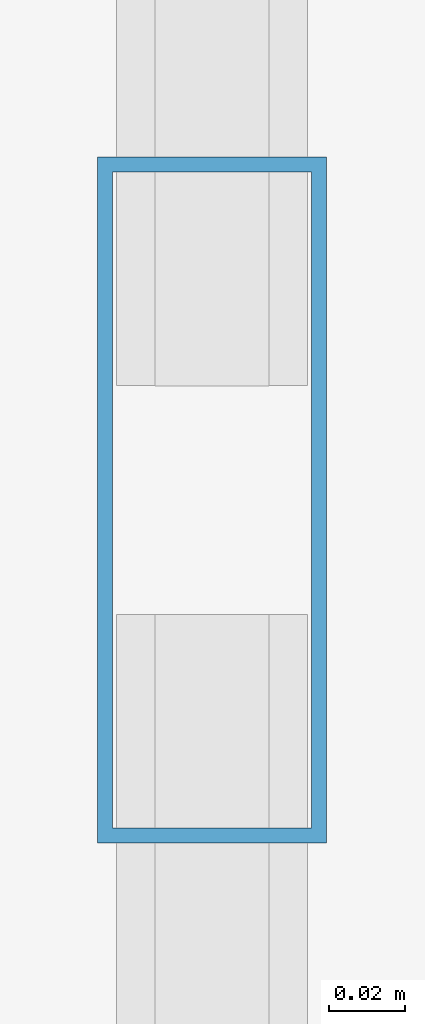
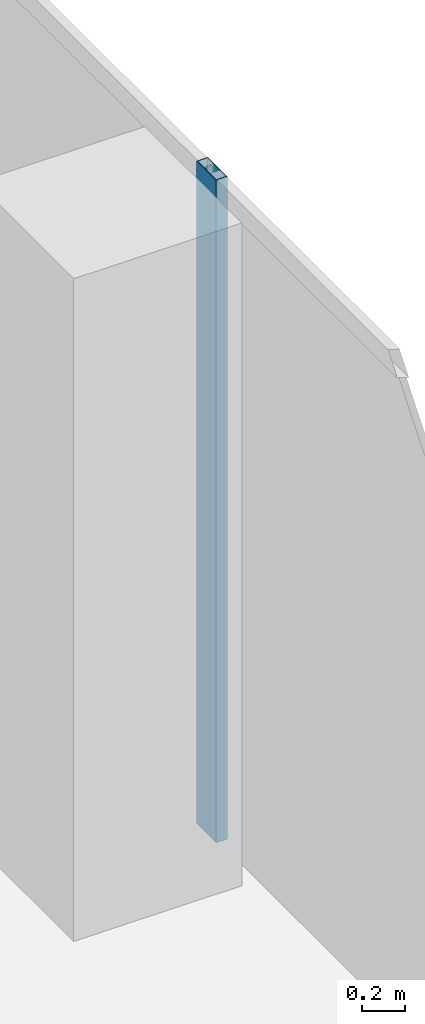
# One storey, part 15 of 36: 1 member, 1 element without a shape of its own.
"""IFC4 building model written with IfcOpenShell, lengths in metres."""

from ifc_helpers import new_model, si_unit, direction, frame, origin, origin_2d, place, context, subcontext, project, spatial, hollow_rectangle, extrude, source, transform, mapped, material, material_profile, profile_set, type_object, element, aggregate, save


model = new_model("IFC4")

# Units and contexts
model_context = context("Model", 3, precision=1e-05, world=origin(), true_north=direction((0.0, 1.0)))
body_context = subcontext(model_context, "Body", "Model", "MODEL_VIEW")
ifc_project = project(units=[si_unit("LENGTHUNIT", "METRE"), si_unit("AREAUNIT", "SQUARE_METRE"), si_unit("VOLUMEUNIT", "CUBIC_METRE"), si_unit("PLANEANGLEUNIT", "RADIAN"), si_unit("MASSUNIT", "GRAM", prefix="KILO")], contexts=[model_context])

# Site, building, storey
site_placement = place(None, origin())
site = spatial("IfcSite", under=ifc_project, at=site_placement, CompositionType="ELEMENT")
building_placement = place(site_placement, origin())
building = spatial("IfcBuilding", under=site, at=building_placement, Name="Khomas Fold Tower", CompositionType="ELEMENT")
storey_placement = place(building_placement, frame((0.0, 0.0, 226.199951171875)))
storey = spatial("IfcBuildingStorey", under=building, at=storey_placement, Name="L50", CompositionType="ELEMENT", Elevation=226.199951171875)

# Curtain wall, member
ifc_material_1 = material(Name="Aluminium framed double glazing", Category="aluminium")
curtain_wall_type = type_object("IfcCurtainWallType", Name="SK-Unitised clear-glass wall, office floors CW2", PredefinedType="NOTDEFINED", material=ifc_material_1)
curtain_wall_placement = place(storey_placement, origin())
curtain_wall = element("IfcCurtainWall", 1, at=curtain_wall_placement, inside=storey, type_object=curtain_wall_type, Name="CW2 run L50 03-1", PredefinedType="NOTDEFINED")
ifc_material_2 = material(Name="Aluminium", Category="aluminium")
ifc_material_profile = material_profile(ifc_material_2, hollow_rectangle(XDim=0.06005859375, YDim=0.179931640625, WallThickness=0.00390625, at=origin_2d()), Name="SK-Unitised clear-glass wall, office floors mullion CW2-M")
ifc_profile_set = profile_set([ifc_material_profile], Name="Aluminium")
member_type = type_object("IfcMemberType", Name="SK-Unitised clear-glass wall, office floors mullion CW2-M", PredefinedType="MULLION", material=ifc_profile_set)
shared_shape = source(origin(), body_context, "Body", "SweptSolid", [
    extrude(hollow_rectangle(XDim=0.06005859375, YDim=0.179931640625, WallThickness=0.00390625, at=origin_2d()), origin(), (0.0, 0.0, 1.0), 3.75),
])
member_placement = place(storey_placement, frame((49.39990234375, 34.5, 0.0), z_axis=(0.0, 0.0, 1.0), x_axis=(-1.0, 0.0, 0.0)))
member = element("IfcMember", 2, at=member_placement, type_object=member_type, Name="CW2 mullion 3", PredefinedType="MULLION", context=body_context, shape_type="MappedRepresentation", body=[
    mapped(shared_shape, transform((0.0, 0.0, 0.0))),
])
aggregate(curtain_wall, [member])

save(model, "model.ifc")
